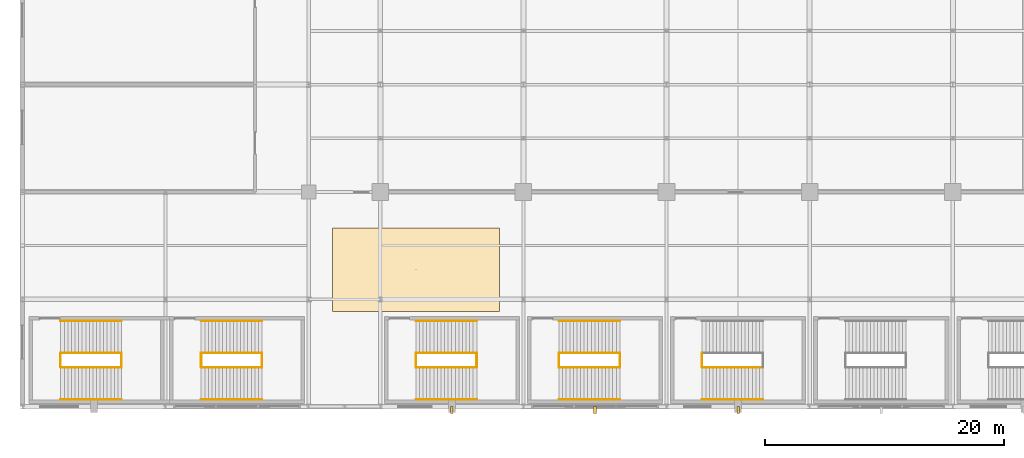
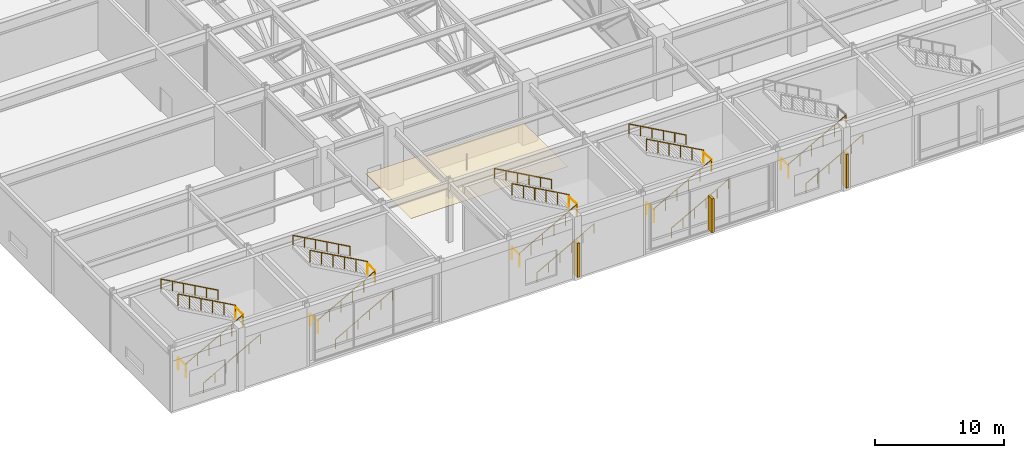
# One storey, part 101 of 108: 27 railings, 3 shading devices, 1 covering.
"""IFC4 building model written with IfcOpenShell, lengths in metres."""

from ifc_helpers import new_model, si_unit, direction, frame, origin, origin_2d, place, context, subcontext, project, spatial, polyline, rectangle, circle, outline, extrude, material, layer, layer_set, type_object, element, save


model = new_model("IFC4")

# Units and contexts
model_context = context("Model", 3, precision=1e-05, world=origin(), true_north=direction((0.0, 1.0)))
body_context = subcontext(model_context, "Body", "Model", "MODEL_VIEW")
ifc_project = project(units=[si_unit("LENGTHUNIT", "METRE"), si_unit("AREAUNIT", "SQUARE_METRE"), si_unit("VOLUMEUNIT", "CUBIC_METRE"), si_unit("PLANEANGLEUNIT", "RADIAN"), si_unit("MASSUNIT", "GRAM", prefix="KILO")], contexts=[model_context])

# Site, building, storey
site_placement = place(None, origin())
site = spatial("IfcSite", under=ifc_project, at=site_placement, CompositionType="ELEMENT")
building_placement = place(site_placement, origin())
building = spatial("IfcBuilding", under=site, at=building_placement, Name="Kaldorvane Square Convention Centre", CompositionType="ELEMENT")
storey_placement = place(building_placement, frame((0.0, 0.0, 12.0)))
storey = spatial("IfcBuildingStorey", under=building, at=storey_placement, Name="L02", CompositionType="ELEMENT", Elevation=12.0)

# Covering
ifc_material_1 = material(Name="Perforated Acoustic Mineral Fiber Ceiling")
ifc_layer = layer(ifc_material_1, 0.024993896484375)
ifc_layer_set = layer_set([ifc_layer], Name="Perforated Acoustic Mineral Fiber Ceiling")
covering_type = type_object("IfcCoveringType", Name="CV-CEIL-025", PredefinedType="CEILING", material=ifc_layer_set)
covering_placement = place(storey_placement, frame((0.0, 0.0, 4.100006103515625)))
element("IfcCovering", 1, at=covering_placement, inside=storey, type_object=covering_type, Name="Acoustic Ceiling Canopy 05 (L02)", PredefinedType="CEILING", context=body_context, shape_type="SweptSolid", body=[
    extrude(outline(polyline([(26.0, 8.0), (40.0, 8.0), (40.0, 15.0), (26.0, 15.0), (26.0, 8.0)])), origin(), (0.0, 0.0, 1.0), 0.024993896484375),
])

# Railings
ifc_material_2 = material(Name="Architectural Painted Steel", Category="steel")
railing_type_1 = type_object("IfcRailingType", Name="RL-GUARD-1120", PredefinedType="BALUSTRADE", material=ifc_material_2)
for number, where, name in (
    (2, (3.2100067138671875, 3.30999755859375, 0.0), "Convention Exit Stair C1 Floor Well Guard (L02)"),
    (3, (8.30999755859375, 3.30999755859375, 3.0), "Convention Exit Stair C1 Half-Landing Guard (L02)"),
):
    element("IfcRailing", number, at=place(storey_placement, frame(where)), inside=storey, type_object=railing_type_1, Name=name, PredefinedType="BALUSTRADE", context=body_context, shape_type="SweptSolid", body=[
        extrude(circle(Radius=0.0240020751953125, at=origin_2d()), frame((0.0, 0.0, 1.0959930419921875), z_axis=(0.0, 1.0, 0.0), x_axis=(-1.0, 0.0, 0.0)), (0.0, 0.0, 1.0), 1.19000244140625),
        extrude(circle(Radius=0.02099609375, at=origin_2d()), origin(), (0.0, 0.0, 1.0), 1.071990966796875),
        extrude(circle(Radius=0.02099609375, at=origin_2d()), frame((0.0, 1.19000244140625, 0.0)), (0.0, 0.0, 1.0), 1.071990966796875),
    ])
railing_1_placement = place(storey_placement, frame((3.2100067138671875, 3.3000030517578125, 0.1666717529296875)))
element("IfcRailing", 4, at=railing_1_placement, inside=storey, type_object=railing_type_1, Name="Convention Exit Stair C1 Flight 1 Guard (L02)", PredefinedType="BALUSTRADE", context=body_context, shape_type="SweptSolid", body=[
    extrude(circle(Radius=0.0240020751953125, at=origin_2d()), frame((0.0, 0.0, 1.0959930419921875), z_axis=(0.874157276122, 0.0, 0.485642931179), x_axis=(0.0, 1.0, 0.0)), (0.0, 0.0, 1.0), 5.8341827392578125),
    extrude(circle(Radius=0.02099609375, at=origin_2d()), origin(), (0.0, 0.0, 1.0), 1.071990966796875),
    extrude(circle(Radius=0.02099609375, at=origin_2d()), frame((1.0200042724609375, 0.0, 0.5666656494140625)), (0.0, 0.0, 1.0), 1.071990966796875),
    extrude(circle(Radius=0.02099609375, at=origin_2d()), frame((2.0399932861328125, 0.0, 1.133331298828125)), (0.0, 0.0, 1.0), 1.071990966796875),
    extrude(circle(Radius=0.02099609375, at=origin_2d()), frame((3.05999755859375, 0.0, 1.6999969482421875)), (0.0, 0.0, 1.0), 1.071990966796875),
    extrude(circle(Radius=0.02099609375, at=origin_2d()), frame((4.079986572265625, 0.0, 2.26666259765625)), (0.0, 0.0, 1.0), 1.071990966796875),
    extrude(circle(Radius=0.02099609375, at=origin_2d()), frame((5.0999908447265625, 0.0, 2.8333282470703125)), (0.0, 0.0, 1.0), 1.071990966796875),
])
railing_2_placement = place(storey_placement, frame((8.30999755859375, 4.5099945068359375, 3.1666717529296875)))
element("IfcRailing", 5, at=railing_2_placement, inside=storey, type_object=railing_type_1, Name="Convention Exit Stair C1 Flight 2 Guard (L02)", PredefinedType="BALUSTRADE", context=body_context, shape_type="SweptSolid", body=[
    extrude(circle(Radius=0.0240020751953125, at=origin_2d()), frame((0.0, 0.0, 1.0959930419921875), z_axis=(-0.874157276122, 0.0, 0.485642931179), x_axis=(0.0, -1.0, 0.0)), (0.0, 0.0, 1.0), 5.8341827392578125),
    extrude(circle(Radius=0.02099609375, at=origin_2d()), origin(), (0.0, 0.0, 1.0), 1.071990966796875),
    extrude(circle(Radius=0.02099609375, at=origin_2d()), frame((-1.0200042724609375, 0.0, 0.5666656494140625)), (0.0, 0.0, 1.0), 1.071990966796875),
    extrude(circle(Radius=0.02099609375, at=origin_2d()), frame((-2.0399932861328125, 0.0, 1.133331298828125)), (0.0, 0.0, 1.0), 1.071990966796875),
    extrude(circle(Radius=0.02099609375, at=origin_2d()), frame((-3.05999755859375, 0.0, 1.6999969482421875)), (0.0, 0.0, 1.0), 1.071990966796875),
    extrude(circle(Radius=0.02099609375, at=origin_2d()), frame((-4.079986572265625, 0.0, 2.26666259765625)), (0.0, 0.0, 1.0), 1.071990966796875),
    extrude(circle(Radius=0.02099609375, at=origin_2d()), frame((-5.0999908447265625, 0.0, 2.8333282470703125)), (0.0, 0.0, 1.0), 1.071990966796875),
])
for number, where, name in (
    (6, (14.990005493164062, 3.30999755859375, 0.0), "Convention Exit Stair C2 Floor Well Guard (L02)"),
    (7, (20.089996337890625, 3.30999755859375, 3.0), "Convention Exit Stair C2 Half-Landing Guard (L02)"),
):
    element("IfcRailing", number, at=place(storey_placement, frame(where)), inside=storey, type_object=railing_type_1, Name=name, PredefinedType="BALUSTRADE", context=body_context, shape_type="SweptSolid", body=[
        extrude(circle(Radius=0.0240020751953125, at=origin_2d()), frame((0.0, 0.0, 1.0959930419921875), z_axis=(0.0, 1.0, 0.0), x_axis=(-1.0, 0.0, 0.0)), (0.0, 0.0, 1.0), 1.19000244140625),
        extrude(circle(Radius=0.02099609375, at=origin_2d()), origin(), (0.0, 0.0, 1.0), 1.071990966796875),
        extrude(circle(Radius=0.02099609375, at=origin_2d()), frame((0.0, 1.19000244140625, 0.0)), (0.0, 0.0, 1.0), 1.071990966796875),
    ])
railing_3_placement = place(storey_placement, frame((14.990005493164062, 3.3000030517578125, 0.1666717529296875)))
element("IfcRailing", 8, at=railing_3_placement, inside=storey, type_object=railing_type_1, Name="Convention Exit Stair C2 Flight 1 Guard (L02)", PredefinedType="BALUSTRADE", context=body_context, shape_type="SweptSolid", body=[
    extrude(circle(Radius=0.0240020751953125, at=origin_2d()), frame((0.0, 0.0, 1.0959930419921875), z_axis=(0.874157276122, 0.0, 0.485642931179), x_axis=(0.0, 1.0, 0.0)), (0.0, 0.0, 1.0), 5.8341827392578125),
    extrude(circle(Radius=0.02099609375, at=origin_2d()), origin(), (0.0, 0.0, 1.0), 1.071990966796875),
    extrude(circle(Radius=0.02099609375, at=origin_2d()), frame((1.0200042724609375, 0.0, 0.5666656494140625)), (0.0, 0.0, 1.0), 1.071990966796875),
    extrude(circle(Radius=0.02099609375, at=origin_2d()), frame((2.0399932861328125, 0.0, 1.133331298828125)), (0.0, 0.0, 1.0), 1.071990966796875),
    extrude(circle(Radius=0.02099609375, at=origin_2d()), frame((3.05999755859375, 0.0, 1.6999969482421875)), (0.0, 0.0, 1.0), 1.071990966796875),
    extrude(circle(Radius=0.02099609375, at=origin_2d()), frame((4.079986572265625, 0.0, 2.26666259765625)), (0.0, 0.0, 1.0), 1.071990966796875),
    extrude(circle(Radius=0.02099609375, at=origin_2d()), frame((5.0999908447265625, 0.0, 2.8333282470703125)), (0.0, 0.0, 1.0), 1.071990966796875),
])
railing_4_placement = place(storey_placement, frame((20.089996337890625, 4.5099945068359375, 3.1666717529296875)))
element("IfcRailing", 9, at=railing_4_placement, inside=storey, type_object=railing_type_1, Name="Convention Exit Stair C2 Flight 2 Guard (L02)", PredefinedType="BALUSTRADE", context=body_context, shape_type="SweptSolid", body=[
    extrude(circle(Radius=0.0240020751953125, at=origin_2d()), frame((0.0, 0.0, 1.0959930419921875), z_axis=(-0.874157276122, 0.0, 0.485642931179), x_axis=(0.0, -1.0, 0.0)), (0.0, 0.0, 1.0), 5.8341827392578125),
    extrude(circle(Radius=0.02099609375, at=origin_2d()), origin(), (0.0, 0.0, 1.0), 1.071990966796875),
    extrude(circle(Radius=0.02099609375, at=origin_2d()), frame((-1.0200042724609375, 0.0, 0.5666656494140625)), (0.0, 0.0, 1.0), 1.071990966796875),
    extrude(circle(Radius=0.02099609375, at=origin_2d()), frame((-2.0399932861328125, 0.0, 1.133331298828125)), (0.0, 0.0, 1.0), 1.071990966796875),
    extrude(circle(Radius=0.02099609375, at=origin_2d()), frame((-3.05999755859375, 0.0, 1.6999969482421875)), (0.0, 0.0, 1.0), 1.071990966796875),
    extrude(circle(Radius=0.02099609375, at=origin_2d()), frame((-4.079986572265625, 0.0, 2.26666259765625)), (0.0, 0.0, 1.0), 1.071990966796875),
    extrude(circle(Radius=0.02099609375, at=origin_2d()), frame((-5.0999908447265625, 0.0, 2.8333282470703125)), (0.0, 0.0, 1.0), 1.071990966796875),
])
for number, where, name in (
    (10, (32.99000549316406, 3.30999755859375, 0.0), "Convention Exit Stair C3 Floor Well Guard (L02)"),
    (11, (38.089996337890625, 3.30999755859375, 3.0), "Convention Exit Stair C3 Half-Landing Guard (L02)"),
):
    element("IfcRailing", number, at=place(storey_placement, frame(where)), inside=storey, type_object=railing_type_1, Name=name, PredefinedType="BALUSTRADE", context=body_context, shape_type="SweptSolid", body=[
        extrude(circle(Radius=0.0240020751953125, at=origin_2d()), frame((0.0, 0.0, 1.0959930419921875), z_axis=(0.0, 1.0, 0.0), x_axis=(-1.0, 0.0, 0.0)), (0.0, 0.0, 1.0), 1.19000244140625),
        extrude(circle(Radius=0.02099609375, at=origin_2d()), origin(), (0.0, 0.0, 1.0), 1.071990966796875),
        extrude(circle(Radius=0.02099609375, at=origin_2d()), frame((0.0, 1.19000244140625, 0.0)), (0.0, 0.0, 1.0), 1.071990966796875),
    ])
railing_5_placement = place(storey_placement, frame((32.99000549316406, 3.3000030517578125, 0.1666717529296875)))
element("IfcRailing", 12, at=railing_5_placement, inside=storey, type_object=railing_type_1, Name="Convention Exit Stair C3 Flight 1 Guard (L02)", PredefinedType="BALUSTRADE", context=body_context, shape_type="SweptSolid", body=[
    extrude(circle(Radius=0.0240020751953125, at=origin_2d()), frame((0.0, 0.0, 1.0959930419921875), z_axis=(0.874157276122, 0.0, 0.485642931179), x_axis=(0.0, 1.0, 0.0)), (0.0, 0.0, 1.0), 5.8341827392578125),
    extrude(circle(Radius=0.02099609375, at=origin_2d()), origin(), (0.0, 0.0, 1.0), 1.071990966796875),
    extrude(circle(Radius=0.02099609375, at=origin_2d()), frame((1.0200042724609375, 0.0, 0.5666656494140625)), (0.0, 0.0, 1.0), 1.071990966796875),
    extrude(circle(Radius=0.02099609375, at=origin_2d()), frame((2.0399932861328125, 0.0, 1.133331298828125)), (0.0, 0.0, 1.0), 1.071990966796875),
    extrude(circle(Radius=0.02099609375, at=origin_2d()), frame((3.05999755859375, 0.0, 1.6999969482421875)), (0.0, 0.0, 1.0), 1.071990966796875),
    extrude(circle(Radius=0.02099609375, at=origin_2d()), frame((4.079986572265625, 0.0, 2.26666259765625)), (0.0, 0.0, 1.0), 1.071990966796875),
    extrude(circle(Radius=0.02099609375, at=origin_2d()), frame((5.0999908447265625, 0.0, 2.8333282470703125)), (0.0, 0.0, 1.0), 1.071990966796875),
])
railing_6_placement = place(storey_placement, frame((38.089996337890625, 4.5099945068359375, 3.1666717529296875)))
element("IfcRailing", 13, at=railing_6_placement, inside=storey, type_object=railing_type_1, Name="Convention Exit Stair C3 Flight 2 Guard (L02)", PredefinedType="BALUSTRADE", context=body_context, shape_type="SweptSolid", body=[
    extrude(circle(Radius=0.0240020751953125, at=origin_2d()), frame((0.0, 0.0, 1.0959930419921875), z_axis=(-0.874157276122, 0.0, 0.485642931179), x_axis=(0.0, -1.0, 0.0)), (0.0, 0.0, 1.0), 5.8341827392578125),
    extrude(circle(Radius=0.02099609375, at=origin_2d()), origin(), (0.0, 0.0, 1.0), 1.071990966796875),
    extrude(circle(Radius=0.02099609375, at=origin_2d()), frame((-1.0200042724609375, 0.0, 0.5666656494140625)), (0.0, 0.0, 1.0), 1.071990966796875),
    extrude(circle(Radius=0.02099609375, at=origin_2d()), frame((-2.0399932861328125, 0.0, 1.133331298828125)), (0.0, 0.0, 1.0), 1.071990966796875),
    extrude(circle(Radius=0.02099609375, at=origin_2d()), frame((-3.05999755859375, 0.0, 1.6999969482421875)), (0.0, 0.0, 1.0), 1.071990966796875),
    extrude(circle(Radius=0.02099609375, at=origin_2d()), frame((-4.079986572265625, 0.0, 2.26666259765625)), (0.0, 0.0, 1.0), 1.071990966796875),
    extrude(circle(Radius=0.02099609375, at=origin_2d()), frame((-5.0999908447265625, 0.0, 2.8333282470703125)), (0.0, 0.0, 1.0), 1.071990966796875),
])
for number, where, name in (
    (14, (44.99000549316406, 3.30999755859375, 0.0), "Convention Exit Stair C4 Floor Well Guard (L02)"),
    (15, (50.089996337890625, 3.30999755859375, 3.0), "Convention Exit Stair C4 Half-Landing Guard (L02)"),
):
    element("IfcRailing", number, at=place(storey_placement, frame(where)), inside=storey, type_object=railing_type_1, Name=name, PredefinedType="BALUSTRADE", context=body_context, shape_type="SweptSolid", body=[
        extrude(circle(Radius=0.0240020751953125, at=origin_2d()), frame((0.0, 0.0, 1.0959930419921875), z_axis=(0.0, 1.0, 0.0), x_axis=(-1.0, 0.0, 0.0)), (0.0, 0.0, 1.0), 1.19000244140625),
        extrude(circle(Radius=0.02099609375, at=origin_2d()), origin(), (0.0, 0.0, 1.0), 1.071990966796875),
        extrude(circle(Radius=0.02099609375, at=origin_2d()), frame((0.0, 1.19000244140625, 0.0)), (0.0, 0.0, 1.0), 1.071990966796875),
    ])
railing_7_placement = place(storey_placement, frame((44.99000549316406, 3.3000030517578125, 0.1666717529296875)))
element("IfcRailing", 16, at=railing_7_placement, inside=storey, type_object=railing_type_1, Name="Convention Exit Stair C4 Flight 1 Guard (L02)", PredefinedType="BALUSTRADE", context=body_context, shape_type="SweptSolid", body=[
    extrude(circle(Radius=0.0240020751953125, at=origin_2d()), frame((0.0, 0.0, 1.0959930419921875), z_axis=(0.874157276122, 0.0, 0.485642931179), x_axis=(0.0, 1.0, 0.0)), (0.0, 0.0, 1.0), 5.8341827392578125),
    extrude(circle(Radius=0.02099609375, at=origin_2d()), origin(), (0.0, 0.0, 1.0), 1.071990966796875),
    extrude(circle(Radius=0.02099609375, at=origin_2d()), frame((1.0200042724609375, 0.0, 0.5666656494140625)), (0.0, 0.0, 1.0), 1.071990966796875),
    extrude(circle(Radius=0.02099609375, at=origin_2d()), frame((2.0399932861328125, 0.0, 1.133331298828125)), (0.0, 0.0, 1.0), 1.071990966796875),
    extrude(circle(Radius=0.02099609375, at=origin_2d()), frame((3.05999755859375, 0.0, 1.6999969482421875)), (0.0, 0.0, 1.0), 1.071990966796875),
    extrude(circle(Radius=0.02099609375, at=origin_2d()), frame((4.079986572265625, 0.0, 2.26666259765625)), (0.0, 0.0, 1.0), 1.071990966796875),
    extrude(circle(Radius=0.02099609375, at=origin_2d()), frame((5.0999908447265625, 0.0, 2.8333282470703125)), (0.0, 0.0, 1.0), 1.071990966796875),
])
railing_8_placement = place(storey_placement, frame((50.089996337890625, 4.5099945068359375, 3.1666717529296875)))
element("IfcRailing", 17, at=railing_8_placement, inside=storey, type_object=railing_type_1, Name="Convention Exit Stair C4 Flight 2 Guard (L02)", PredefinedType="BALUSTRADE", context=body_context, shape_type="SweptSolid", body=[
    extrude(circle(Radius=0.0240020751953125, at=origin_2d()), frame((0.0, 0.0, 1.0959930419921875), z_axis=(-0.874157276122, 0.0, 0.485642931179), x_axis=(0.0, -1.0, 0.0)), (0.0, 0.0, 1.0), 5.8341827392578125),
    extrude(circle(Radius=0.02099609375, at=origin_2d()), origin(), (0.0, 0.0, 1.0), 1.071990966796875),
    extrude(circle(Radius=0.02099609375, at=origin_2d()), frame((-1.0200042724609375, 0.0, 0.5666656494140625)), (0.0, 0.0, 1.0), 1.071990966796875),
    extrude(circle(Radius=0.02099609375, at=origin_2d()), frame((-2.0399932861328125, 0.0, 1.133331298828125)), (0.0, 0.0, 1.0), 1.071990966796875),
    extrude(circle(Radius=0.02099609375, at=origin_2d()), frame((-3.05999755859375, 0.0, 1.6999969482421875)), (0.0, 0.0, 1.0), 1.071990966796875),
    extrude(circle(Radius=0.02099609375, at=origin_2d()), frame((-4.079986572265625, 0.0, 2.26666259765625)), (0.0, 0.0, 1.0), 1.071990966796875),
    extrude(circle(Radius=0.02099609375, at=origin_2d()), frame((-5.0999908447265625, 0.0, 2.8333282470703125)), (0.0, 0.0, 1.0), 1.071990966796875),
])
railing_9_placement = place(storey_placement, frame((56.99000549316406, 3.30999755859375, 0.0)))
element("IfcRailing", 18, at=railing_9_placement, inside=storey, type_object=railing_type_1, Name="Convention Exit Stair C5 Floor Well Guard (L02)", PredefinedType="BALUSTRADE", context=body_context, shape_type="SweptSolid", body=[
    extrude(circle(Radius=0.0240020751953125, at=origin_2d()), frame((0.0, 0.0, 1.0959930419921875), z_axis=(0.0, 1.0, 0.0), x_axis=(-1.0, 0.0, 0.0)), (0.0, 0.0, 1.0), 1.19000244140625),
    extrude(circle(Radius=0.02099609375, at=origin_2d()), origin(), (0.0, 0.0, 1.0), 1.071990966796875),
    extrude(circle(Radius=0.02099609375, at=origin_2d()), frame((0.0, 1.19000244140625, 0.0)), (0.0, 0.0, 1.0), 1.071990966796875),
])
railing_10_placement = place(storey_placement, frame((56.99000549316406, 3.3000030517578125, 0.1666717529296875)))
element("IfcRailing", 19, at=railing_10_placement, inside=storey, type_object=railing_type_1, Name="Convention Exit Stair C5 Flight 1 Guard (L02)", PredefinedType="BALUSTRADE", context=body_context, shape_type="SweptSolid", body=[
    extrude(circle(Radius=0.0240020751953125, at=origin_2d()), frame((0.0, 0.0, 1.0959930419921875), z_axis=(0.874157276122, 0.0, 0.485642931179), x_axis=(0.0, 1.0, 0.0)), (0.0, 0.0, 1.0), 5.8341827392578125),
    extrude(circle(Radius=0.02099609375, at=origin_2d()), origin(), (0.0, 0.0, 1.0), 1.071990966796875),
    extrude(circle(Radius=0.02099609375, at=origin_2d()), frame((1.0200042724609375, 0.0, 0.5666656494140625)), (0.0, 0.0, 1.0), 1.071990966796875),
    extrude(circle(Radius=0.02099609375, at=origin_2d()), frame((2.0399932861328125, 0.0, 1.133331298828125)), (0.0, 0.0, 1.0), 1.071990966796875),
    extrude(circle(Radius=0.02099609375, at=origin_2d()), frame((3.05999755859375, 0.0, 1.6999969482421875)), (0.0, 0.0, 1.0), 1.071990966796875),
    extrude(circle(Radius=0.02099609375, at=origin_2d()), frame((4.079986572265625, 0.0, 2.26666259765625)), (0.0, 0.0, 1.0), 1.071990966796875),
    extrude(circle(Radius=0.02099609375, at=origin_2d()), frame((5.0999908447265625, 0.0, 2.8333282470703125)), (0.0, 0.0, 1.0), 1.071990966796875),
])
railing_type_2 = type_object("IfcRailingType", Name="RL-HAND-915", PredefinedType="HANDRAIL", material=ifc_material_2)
railing_11_placement = place(storey_placement, frame((3.2100067138671875, 0.6199951171875, 0.1666717529296875)))
element("IfcRailing", 20, at=railing_11_placement, inside=storey, type_object=railing_type_2, Name="Convention Exit Stair C1 Wall Handrail 1 (L02)", PredefinedType="HANDRAIL", context=body_context, shape_type="SweptSolid", body=[
    extrude(circle(Radius=0.0240020751953125, at=origin_2d()), frame((0.0, 0.0, 0.8909912109375), z_axis=(0.874157276122, 0.0, 0.485642931179), x_axis=(0.0, 1.0, 0.0)), (0.0, 0.0, 1.0), 5.8341827392578125),
    extrude(circle(Radius=0.02099609375, at=origin_2d()), origin(), (0.0, 0.0, 1.0), 0.8669891357421875),
    extrude(circle(Radius=0.02099609375, at=origin_2d()), frame((1.0200042724609375, 0.0, 0.5666656494140625)), (0.0, 0.0, 1.0), 0.8669891357421875),
    extrude(circle(Radius=0.02099609375, at=origin_2d()), frame((2.0399932861328125, 0.0, 1.133331298828125)), (0.0, 0.0, 1.0), 0.8669891357421875),
    extrude(circle(Radius=0.02099609375, at=origin_2d()), frame((3.05999755859375, 0.0, 1.6999969482421875)), (0.0, 0.0, 1.0), 0.8669891357421875),
    extrude(circle(Radius=0.02099609375, at=origin_2d()), frame((4.079986572265625, 0.0, 2.26666259765625)), (0.0, 0.0, 1.0), 0.8669891357421875),
    extrude(circle(Radius=0.02099609375, at=origin_2d()), frame((5.0999908447265625, 0.0, 2.8333282470703125)), (0.0, 0.0, 1.0), 0.8669891357421875),
])
railing_12_placement = place(storey_placement, frame((8.30999755859375, 7.19000244140625, 3.1666717529296875)))
element("IfcRailing", 21, at=railing_12_placement, inside=storey, type_object=railing_type_2, Name="Convention Exit Stair C1 Wall Handrail 2 (L02)", PredefinedType="HANDRAIL", context=body_context, shape_type="SweptSolid", body=[
    extrude(circle(Radius=0.0240020751953125, at=origin_2d()), frame((0.0, 0.0, 0.8909912109375), z_axis=(-0.874157276122, 0.0, 0.485642931179), x_axis=(0.0, -1.0, 0.0)), (0.0, 0.0, 1.0), 5.8341827392578125),
    extrude(circle(Radius=0.02099609375, at=origin_2d()), origin(), (0.0, 0.0, 1.0), 0.8669891357421875),
    extrude(circle(Radius=0.02099609375, at=origin_2d()), frame((-1.0200042724609375, 0.0, 0.5666656494140625)), (0.0, 0.0, 1.0), 0.8669891357421875),
    extrude(circle(Radius=0.02099609375, at=origin_2d()), frame((-2.0399932861328125, 0.0, 1.133331298828125)), (0.0, 0.0, 1.0), 0.8669891357421875),
    extrude(circle(Radius=0.02099609375, at=origin_2d()), frame((-3.05999755859375, 0.0, 1.6999969482421875)), (0.0, 0.0, 1.0), 0.8669891357421875),
    extrude(circle(Radius=0.02099609375, at=origin_2d()), frame((-4.079986572265625, 0.0, 2.26666259765625)), (0.0, 0.0, 1.0), 0.8669891357421875),
    extrude(circle(Radius=0.02099609375, at=origin_2d()), frame((-5.0999908447265625, 0.0, 2.8333282470703125)), (0.0, 0.0, 1.0), 0.8669891357421875),
])
railing_13_placement = place(storey_placement, frame((14.990005493164062, 0.6199951171875, 0.1666717529296875)))
element("IfcRailing", 22, at=railing_13_placement, inside=storey, type_object=railing_type_2, Name="Convention Exit Stair C2 Wall Handrail 1 (L02)", PredefinedType="HANDRAIL", context=body_context, shape_type="SweptSolid", body=[
    extrude(circle(Radius=0.0240020751953125, at=origin_2d()), frame((0.0, 0.0, 0.8909912109375), z_axis=(0.874157276122, 0.0, 0.485642931179), x_axis=(0.0, 1.0, 0.0)), (0.0, 0.0, 1.0), 5.8341827392578125),
    extrude(circle(Radius=0.02099609375, at=origin_2d()), origin(), (0.0, 0.0, 1.0), 0.8669891357421875),
    extrude(circle(Radius=0.02099609375, at=origin_2d()), frame((1.0200042724609375, 0.0, 0.5666656494140625)), (0.0, 0.0, 1.0), 0.8669891357421875),
    extrude(circle(Radius=0.02099609375, at=origin_2d()), frame((2.0399932861328125, 0.0, 1.133331298828125)), (0.0, 0.0, 1.0), 0.8669891357421875),
    extrude(circle(Radius=0.02099609375, at=origin_2d()), frame((3.05999755859375, 0.0, 1.6999969482421875)), (0.0, 0.0, 1.0), 0.8669891357421875),
    extrude(circle(Radius=0.02099609375, at=origin_2d()), frame((4.079986572265625, 0.0, 2.26666259765625)), (0.0, 0.0, 1.0), 0.8669891357421875),
    extrude(circle(Radius=0.02099609375, at=origin_2d()), frame((5.0999908447265625, 0.0, 2.8333282470703125)), (0.0, 0.0, 1.0), 0.8669891357421875),
])
railing_14_placement = place(storey_placement, frame((20.089996337890625, 7.19000244140625, 3.1666717529296875)))
element("IfcRailing", 23, at=railing_14_placement, inside=storey, type_object=railing_type_2, Name="Convention Exit Stair C2 Wall Handrail 2 (L02)", PredefinedType="HANDRAIL", context=body_context, shape_type="SweptSolid", body=[
    extrude(circle(Radius=0.0240020751953125, at=origin_2d()), frame((0.0, 0.0, 0.8909912109375), z_axis=(-0.874157276122, 0.0, 0.485642931179), x_axis=(0.0, -1.0, 0.0)), (0.0, 0.0, 1.0), 5.8341827392578125),
    extrude(circle(Radius=0.02099609375, at=origin_2d()), origin(), (0.0, 0.0, 1.0), 0.8669891357421875),
    extrude(circle(Radius=0.02099609375, at=origin_2d()), frame((-1.0200042724609375, 0.0, 0.5666656494140625)), (0.0, 0.0, 1.0), 0.8669891357421875),
    extrude(circle(Radius=0.02099609375, at=origin_2d()), frame((-2.0399932861328125, 0.0, 1.133331298828125)), (0.0, 0.0, 1.0), 0.8669891357421875),
    extrude(circle(Radius=0.02099609375, at=origin_2d()), frame((-3.05999755859375, 0.0, 1.6999969482421875)), (0.0, 0.0, 1.0), 0.8669891357421875),
    extrude(circle(Radius=0.02099609375, at=origin_2d()), frame((-4.079986572265625, 0.0, 2.26666259765625)), (0.0, 0.0, 1.0), 0.8669891357421875),
    extrude(circle(Radius=0.02099609375, at=origin_2d()), frame((-5.0999908447265625, 0.0, 2.8333282470703125)), (0.0, 0.0, 1.0), 0.8669891357421875),
])
railing_15_placement = place(storey_placement, frame((32.99000549316406, 0.6199951171875, 0.1666717529296875)))
element("IfcRailing", 24, at=railing_15_placement, inside=storey, type_object=railing_type_2, Name="Convention Exit Stair C3 Wall Handrail 1 (L02)", PredefinedType="HANDRAIL", context=body_context, shape_type="SweptSolid", body=[
    extrude(circle(Radius=0.0240020751953125, at=origin_2d()), frame((0.0, 0.0, 0.8909912109375), z_axis=(0.874157276122, 0.0, 0.485642931179), x_axis=(0.0, 1.0, 0.0)), (0.0, 0.0, 1.0), 5.8341827392578125),
    extrude(circle(Radius=0.02099609375, at=origin_2d()), origin(), (0.0, 0.0, 1.0), 0.8669891357421875),
    extrude(circle(Radius=0.02099609375, at=origin_2d()), frame((1.0200042724609375, 0.0, 0.5666656494140625)), (0.0, 0.0, 1.0), 0.8669891357421875),
    extrude(circle(Radius=0.02099609375, at=origin_2d()), frame((2.0399932861328125, 0.0, 1.133331298828125)), (0.0, 0.0, 1.0), 0.8669891357421875),
    extrude(circle(Radius=0.02099609375, at=origin_2d()), frame((3.05999755859375, 0.0, 1.6999969482421875)), (0.0, 0.0, 1.0), 0.8669891357421875),
    extrude(circle(Radius=0.02099609375, at=origin_2d()), frame((4.079986572265625, 0.0, 2.26666259765625)), (0.0, 0.0, 1.0), 0.8669891357421875),
    extrude(circle(Radius=0.02099609375, at=origin_2d()), frame((5.0999908447265625, 0.0, 2.8333282470703125)), (0.0, 0.0, 1.0), 0.8669891357421875),
])
railing_16_placement = place(storey_placement, frame((38.089996337890625, 7.19000244140625, 3.1666717529296875)))
element("IfcRailing", 25, at=railing_16_placement, inside=storey, type_object=railing_type_2, Name="Convention Exit Stair C3 Wall Handrail 2 (L02)", PredefinedType="HANDRAIL", context=body_context, shape_type="SweptSolid", body=[
    extrude(circle(Radius=0.0240020751953125, at=origin_2d()), frame((0.0, 0.0, 0.8909912109375), z_axis=(-0.874157276122, 0.0, 0.485642931179), x_axis=(0.0, -1.0, 0.0)), (0.0, 0.0, 1.0), 5.8341827392578125),
    extrude(circle(Radius=0.02099609375, at=origin_2d()), origin(), (0.0, 0.0, 1.0), 0.8669891357421875),
    extrude(circle(Radius=0.02099609375, at=origin_2d()), frame((-1.0200042724609375, 0.0, 0.5666656494140625)), (0.0, 0.0, 1.0), 0.8669891357421875),
    extrude(circle(Radius=0.02099609375, at=origin_2d()), frame((-2.0399932861328125, 0.0, 1.133331298828125)), (0.0, 0.0, 1.0), 0.8669891357421875),
    extrude(circle(Radius=0.02099609375, at=origin_2d()), frame((-3.05999755859375, 0.0, 1.6999969482421875)), (0.0, 0.0, 1.0), 0.8669891357421875),
    extrude(circle(Radius=0.02099609375, at=origin_2d()), frame((-4.079986572265625, 0.0, 2.26666259765625)), (0.0, 0.0, 1.0), 0.8669891357421875),
    extrude(circle(Radius=0.02099609375, at=origin_2d()), frame((-5.0999908447265625, 0.0, 2.8333282470703125)), (0.0, 0.0, 1.0), 0.8669891357421875),
])
railing_17_placement = place(storey_placement, frame((44.99000549316406, 0.6199951171875, 0.1666717529296875)))
element("IfcRailing", 26, at=railing_17_placement, inside=storey, type_object=railing_type_2, Name="Convention Exit Stair C4 Wall Handrail 1 (L02)", PredefinedType="HANDRAIL", context=body_context, shape_type="SweptSolid", body=[
    extrude(circle(Radius=0.0240020751953125, at=origin_2d()), frame((0.0, 0.0, 0.8909912109375), z_axis=(0.874157276122, 0.0, 0.485642931179), x_axis=(0.0, 1.0, 0.0)), (0.0, 0.0, 1.0), 5.8341827392578125),
    extrude(circle(Radius=0.02099609375, at=origin_2d()), origin(), (0.0, 0.0, 1.0), 0.8669891357421875),
    extrude(circle(Radius=0.02099609375, at=origin_2d()), frame((1.0200042724609375, 0.0, 0.5666656494140625)), (0.0, 0.0, 1.0), 0.8669891357421875),
    extrude(circle(Radius=0.02099609375, at=origin_2d()), frame((2.0399932861328125, 0.0, 1.133331298828125)), (0.0, 0.0, 1.0), 0.8669891357421875),
    extrude(circle(Radius=0.02099609375, at=origin_2d()), frame((3.05999755859375, 0.0, 1.6999969482421875)), (0.0, 0.0, 1.0), 0.8669891357421875),
    extrude(circle(Radius=0.02099609375, at=origin_2d()), frame((4.079986572265625, 0.0, 2.26666259765625)), (0.0, 0.0, 1.0), 0.8669891357421875),
    extrude(circle(Radius=0.02099609375, at=origin_2d()), frame((5.0999908447265625, 0.0, 2.8333282470703125)), (0.0, 0.0, 1.0), 0.8669891357421875),
])
railing_18_placement = place(storey_placement, frame((50.089996337890625, 7.19000244140625, 3.1666717529296875)))
element("IfcRailing", 27, at=railing_18_placement, inside=storey, type_object=railing_type_2, Name="Convention Exit Stair C4 Wall Handrail 2 (L02)", PredefinedType="HANDRAIL", context=body_context, shape_type="SweptSolid", body=[
    extrude(circle(Radius=0.0240020751953125, at=origin_2d()), frame((0.0, 0.0, 0.8909912109375), z_axis=(-0.874157276122, 0.0, 0.485642931179), x_axis=(0.0, -1.0, 0.0)), (0.0, 0.0, 1.0), 5.8341827392578125),
    extrude(circle(Radius=0.02099609375, at=origin_2d()), origin(), (0.0, 0.0, 1.0), 0.8669891357421875),
    extrude(circle(Radius=0.02099609375, at=origin_2d()), frame((-1.0200042724609375, 0.0, 0.5666656494140625)), (0.0, 0.0, 1.0), 0.8669891357421875),
    extrude(circle(Radius=0.02099609375, at=origin_2d()), frame((-2.0399932861328125, 0.0, 1.133331298828125)), (0.0, 0.0, 1.0), 0.8669891357421875),
    extrude(circle(Radius=0.02099609375, at=origin_2d()), frame((-3.05999755859375, 0.0, 1.6999969482421875)), (0.0, 0.0, 1.0), 0.8669891357421875),
    extrude(circle(Radius=0.02099609375, at=origin_2d()), frame((-4.079986572265625, 0.0, 2.26666259765625)), (0.0, 0.0, 1.0), 0.8669891357421875),
    extrude(circle(Radius=0.02099609375, at=origin_2d()), frame((-5.0999908447265625, 0.0, 2.8333282470703125)), (0.0, 0.0, 1.0), 0.8669891357421875),
])
railing_19_placement = place(storey_placement, frame((56.99000549316406, 0.6199951171875, 0.1666717529296875)))
element("IfcRailing", 28, at=railing_19_placement, inside=storey, type_object=railing_type_2, Name="Convention Exit Stair C5 Wall Handrail 1 (L02)", PredefinedType="HANDRAIL", context=body_context, shape_type="SweptSolid", body=[
    extrude(circle(Radius=0.0240020751953125, at=origin_2d()), frame((0.0, 0.0, 0.8909912109375), z_axis=(0.874157276122, 0.0, 0.485642931179), x_axis=(0.0, 1.0, 0.0)), (0.0, 0.0, 1.0), 5.8341827392578125),
    extrude(circle(Radius=0.02099609375, at=origin_2d()), origin(), (0.0, 0.0, 1.0), 0.8669891357421875),
    extrude(circle(Radius=0.02099609375, at=origin_2d()), frame((1.0200042724609375, 0.0, 0.5666656494140625)), (0.0, 0.0, 1.0), 0.8669891357421875),
    extrude(circle(Radius=0.02099609375, at=origin_2d()), frame((2.0399932861328125, 0.0, 1.133331298828125)), (0.0, 0.0, 1.0), 0.8669891357421875),
    extrude(circle(Radius=0.02099609375, at=origin_2d()), frame((3.05999755859375, 0.0, 1.6999969482421875)), (0.0, 0.0, 1.0), 0.8669891357421875),
    extrude(circle(Radius=0.02099609375, at=origin_2d()), frame((4.079986572265625, 0.0, 2.26666259765625)), (0.0, 0.0, 1.0), 0.8669891357421875),
    extrude(circle(Radius=0.02099609375, at=origin_2d()), frame((5.0999908447265625, 0.0, 2.8333282470703125)), (0.0, 0.0, 1.0), 0.8669891357421875),
])

# Shading devices
ifc_material_3 = material(Name="Concrete f'c = 42 MPa (Normalweight) Precast", Category="concrete")
shading_device_type = type_object("IfcShadingDeviceType", Name="SD-FIN-600", PredefinedType="SHUTTER", material=ifc_material_3)
for number, where, z_axis, x_axis, name in (
    (29, (36.0, -0.279998779296875, 0.29998779296875), (0.0, 0.0, 1.0), (1.0, 0.0, 0.0), "Brutalist Precast Solar Fin (L02)"),
    (30, (48.0, -0.279998779296875, 0.29998779296875), (0.0, 0.0, 1.0), (1.0, 0.0, 0.0), "Brutalist Precast Solar Fin (L02)"),
    (31, (60.0, -0.279998779296875, 0.29998779296875), (0.0, 0.0, 1.0), (1.0, 0.0, 0.0), "Brutalist Precast Solar Fin (L02)"),
):
    element("IfcShadingDevice", number, at=place(storey_placement, frame(where, z_axis=z_axis, x_axis=x_axis)), inside=storey, type_object=shading_device_type, Name=name, PredefinedType="SHUTTER", context=body_context, shape_type="SweptSolid", body=[
        extrude(rectangle(XDim=0.220001220703125, YDim=0.600006103515625, at=origin_2d()), origin(), (0.0, 0.0, 1.0), 3.1999969482421875),
    ])

save(model, "model.ifc")
